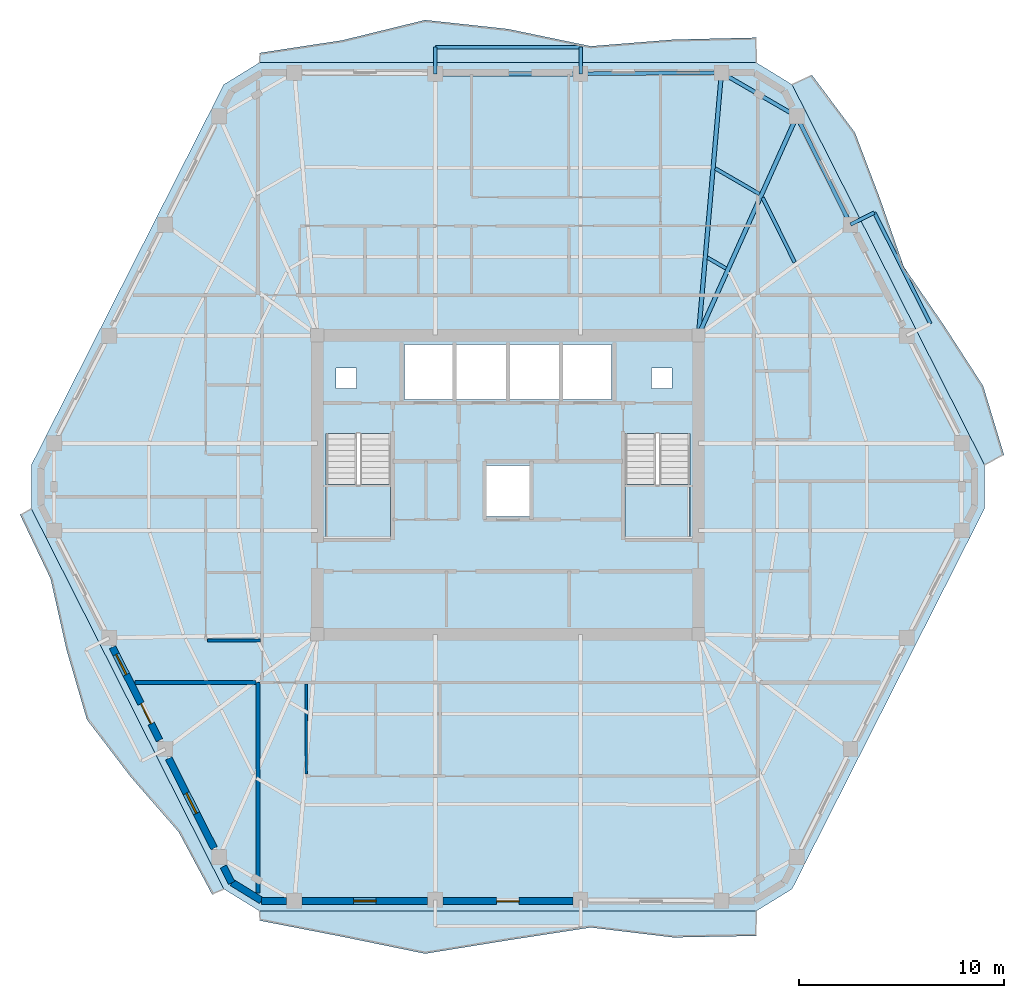
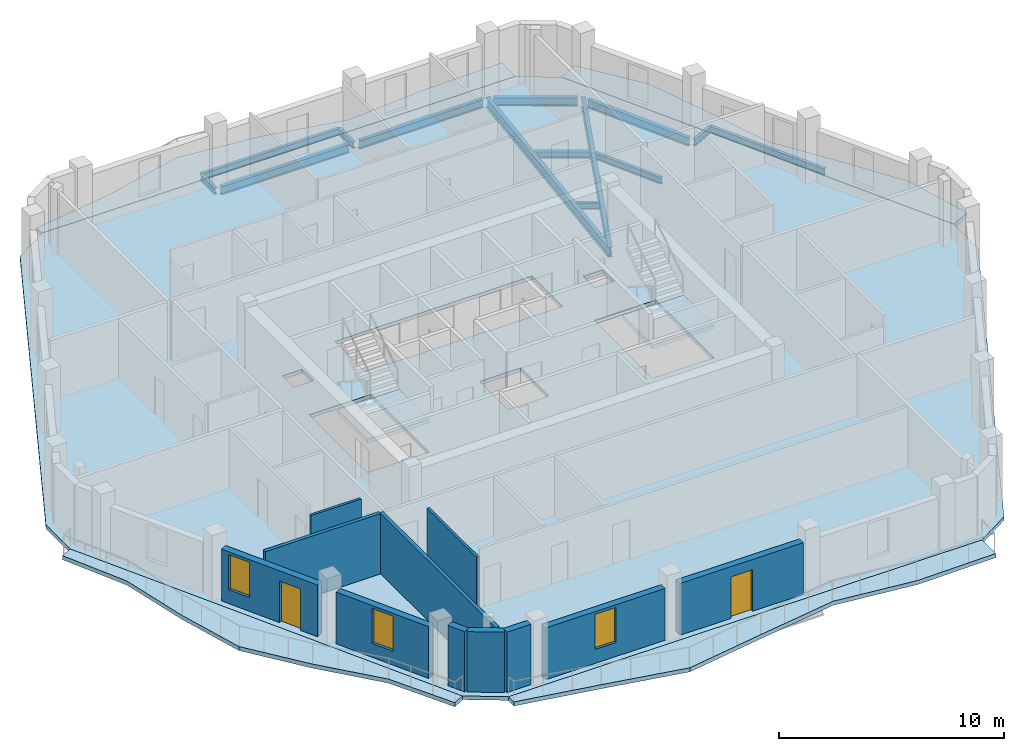
# One storey, part 3 of 10: 14 beams, 11 walls, 7 slabs, 3 windows, 2 doors, 5 openings, 2 elements without a shape of their own.
"""IFC4 building model written with IfcOpenShell, lengths in metres."""

import ifcopenshell
import ifcopenshell.guid

model = None  # the IFC model being written
_history = None  # IfcOwnerHistory: only IFC2X3 demands one
_inside = {}  # id of a spatial element -> (the spatial element, [elements in it])
_under = {}  # id of a project, library or spatial element -> (it, [spatial elements below it])
_declared = {}  # id of a project -> (the project, [libraries it declares])
_typed = {}  # id of a type object -> (the type object, [elements of that type])
_made_of = {}  # id of a material, layer set ... -> (it, [elements and type objects made of it])


def new_model(schema):
    """Start an empty IFC model of exactly this schema.

    Asked for "IFC4X3", IfcOpenShell would pick the latest addendum, in which some entities
    have other attributes; the version numbers below select the first issue.
    IFC2X3 requires an IfcOwnerHistory on every rooted entity: one is made here for all.
    """
    global model, _history
    if schema == "IFC4X3":
        model = ifcopenshell.file(schema_version=(4, 3, 0, 0))
    else:
        model = ifcopenshell.file(schema=schema)
    _inside.clear()
    _under.clear()
    _declared.clear()
    _typed.clear()
    _made_of.clear()
    _history = None
    if model.schema == "IFC2X3":
        org = make("IfcOrganization", Name="unknown")
        user = make(
            "IfcPersonAndOrganization",
            ThePerson=make("IfcPerson", FamilyName="unknown"),
            TheOrganization=org,
        )
        app = make(
            "IfcApplication",
            ApplicationDeveloper=org,
            Version="unknown",
            ApplicationFullName="unknown",
            ApplicationIdentifier="unknown",
        )
        _history = make(
            "IfcOwnerHistory",
            OwningUser=user,
            OwningApplication=app,
            ChangeAction="ADDED",
            CreationDate=0,
        )
    return model


def make(cls, **values):
    """One entity of the class cls with the attributes given. An attribute that is None is left unset."""
    return model.create_entity(
        cls, **{name: value for name, value in values.items() if value is not None}
    )


def rooted(cls, **values):
    """An entity with a GlobalId (a new one), such as an element, a storey or a relation."""
    return make(cls, GlobalId=ifcopenshell.guid.new(), OwnerHistory=_history, **values)


def si_unit(unit_type, name, prefix=None):
    """IfcSIUnit, for example si_unit("LENGTHUNIT", "METRE", prefix="MILLI")."""
    return make("IfcSIUnit", UnitType=unit_type, Prefix=prefix, Name=name)


def assignment(units):
    """IfcUnitAssignment: the units of a project."""
    return None if units is None else make("IfcUnitAssignment", Units=units)


def point(xyz):
    """IfcCartesianPoint."""
    return None if xyz is None else make("IfcCartesianPoint", Coordinates=xyz)


def direction(xyz):
    """IfcDirection."""
    return None if xyz is None else make("IfcDirection", DirectionRatios=xyz)


def frame(location, z_axis=None, x_axis=None):
    """IfcAxis2Placement3D, a coordinate frame: its origin and axes. An axis left out is left unset."""
    return make(
        "IfcAxis2Placement3D",
        Location=point(location),
        Axis=direction(z_axis),
        RefDirection=direction(x_axis),
    )


def frame_2d(location, x_axis=None):
    """IfcAxis2Placement2D, a coordinate frame in the plane: its origin and x axis."""
    return make(
        "IfcAxis2Placement2D", Location=point(location), RefDirection=direction(x_axis)
    )


def origin():
    """The frame at (0, 0, 0) with its axes left unset."""
    return frame((0.0, 0.0, 0.0))


def origin_2d():
    """The frame at (0, 0) in the plane with its x axis left unset."""
    return frame_2d((0.0, 0.0))


def place(relative_to, where):
    """IfcLocalPlacement: puts the frame where relative to a parent placement (None: the world)."""
    return make(
        "IfcLocalPlacement", PlacementRelTo=relative_to, RelativePlacement=where
    )


def context(
    kind, dimensions, precision=None, world=None, true_north=None, identifier=None
):
    """IfcGeometricRepresentationContext, for example the 3D "Model" context."""
    return make(
        "IfcGeometricRepresentationContext",
        ContextIdentifier=identifier,
        ContextType=kind,
        CoordinateSpaceDimension=dimensions,
        Precision=precision,
        WorldCoordinateSystem=world,
        TrueNorth=true_north,
    )


def subcontext(parent, identifier, kind, view, scale=None):
    """IfcGeometricRepresentationSubContext, for example "Body" below "Model"."""
    return make(
        "IfcGeometricRepresentationSubContext",
        ContextIdentifier=identifier,
        ContextType=kind,
        ParentContext=parent,
        TargetScale=scale,
        TargetView=view,
    )


def project(units=None, contexts=None):
    """IfcProject with its units and contexts."""
    return rooted(
        "IfcProject",
        Name="project",
        RepresentationContexts=contexts,
        UnitsInContext=assignment(units),
    )


def spatial(cls, under=None, at=None, **own):
    """A site, building, storey or space (cls), placed at a placement, below another one or the project."""
    s = rooted(cls, ObjectPlacement=at, **own)
    if under is not None:
        _under.setdefault(under.id(), (under, []))[1].append(s)
    return s


def polyline(points):
    """IfcPolyline through the points."""
    return make("IfcPolyline", Points=[point(p) for p in points])


def profile(cls, at=None, kind="AREA", **sizes):
    """A parametric profile (cls). Its sizes go by their IFC names, for example OverallWidth=200.0."""
    return make(cls, ProfileType=kind, Position=at, **sizes)


def rectangle(**sizes):
    """IfcRectangleProfileDef."""
    return profile("IfcRectangleProfileDef", **sizes)


def i_section(**sizes):
    """IfcIShapeProfileDef."""
    return profile("IfcIShapeProfileDef", **sizes)


def outline(outer, holes=None, kind="AREA"):
    """IfcArbitraryClosedProfileDef: a profile drawn as a closed curve; with holes, ...WithVoids."""
    if holes is None:
        return make("IfcArbitraryClosedProfileDef", ProfileType=kind, OuterCurve=outer)
    return make(
        "IfcArbitraryProfileDefWithVoids",
        ProfileType=kind,
        OuterCurve=outer,
        InnerCurves=holes,
    )


def extrude(swept, where, along, depth):
    """IfcExtrudedAreaSolid: the profile swept, set in the frame where, extruded along a direction by depth."""
    return make(
        "IfcExtrudedAreaSolid",
        SweptArea=swept,
        Position=where,
        ExtrudedDirection=direction(along),
        Depth=depth,
    )


def shape(context_of_items, identifier, shape_type, items):
    """IfcShapeRepresentation: the items that make up one representation, for example the "Body"."""
    return make(
        "IfcShapeRepresentation",
        ContextOfItems=context_of_items,
        RepresentationIdentifier=identifier,
        RepresentationType=shape_type,
        Items=items,
    )


def material(Name=None, Category=None):
    """IfcMaterial."""
    return make("IfcMaterial", Name=Name, Category=Category)


def layer(
    of_material, thickness, ventilated=None, Name=None, Category=None, Priority=None
):
    """IfcMaterialLayer: one layer of a wall or slab, of a material (None: an air gap)."""
    return make(
        "IfcMaterialLayer",
        Material=of_material,
        LayerThickness=thickness,
        IsVentilated=ventilated,
        Name=Name,
        Category=Category,
        Priority=Priority,
    )


def layer_set(layers, Name=None):
    """IfcMaterialLayerSet."""
    return make("IfcMaterialLayerSet", MaterialLayers=layers, LayerSetName=Name)


def material_profile(
    of_material, cross_section, Name=None, Category=None, Priority=None
):
    """IfcMaterialProfile: a cross section and its material."""
    return make(
        "IfcMaterialProfile",
        Name=Name,
        Material=of_material,
        Profile=cross_section,
        Priority=Priority,
        Category=Category,
    )


def profile_set(profiles, Name=None, composite=None):
    """IfcMaterialProfileSet."""
    return make(
        "IfcMaterialProfileSet",
        Name=Name,
        MaterialProfiles=profiles,
        CompositeProfile=composite,
    )


def made_of(thing, what):
    """Note that an element or type object is made of a material, layer set ...; save() writes the relation."""
    if what is not None:
        _made_of.setdefault(what.id(), (what, []))[1].append(thing)
    return thing


def type_object(cls, material=None, **own):
    """A type object (cls), such as IfcWallType, which elements share."""
    return made_of(rooted(cls, **own), material)


def element(
    cls,
    number,
    at=None,
    inside=None,
    cuts=None,
    type_object=None,
    material=None,
    context=None,
    identifier="Body",
    shape_type=None,
    held_by="IfcProductDefinitionShape",
    body=None,
    shapes=None,
    **own,
):
    """One element of the class cls, such as IfcWall. Its Tag is "e" and its number.

    at: its placement. inside: the storey or other place that contains it. cuts: it is an
    opening in that element (IfcRelVoidsElement). A single representation is given by context,
    identifier, shape_type and body (its items); several are given by shapes. held_by: the class
    of the entity that holds the representations. save() writes the other relations.
    """
    e = rooted(cls, Tag="e%d" % number, ObjectPlacement=at, **own)
    if body is not None:
        shapes = [shape(context, identifier, shape_type, body)]
    if shapes is not None:
        e.Representation = make(held_by, Representations=shapes)
    if inside is not None:
        _inside.setdefault(inside.id(), (inside, []))[1].append(e)
    if cuts is not None:
        rooted(
            "IfcRelVoidsElement", RelatingBuildingElement=cuts, RelatedOpeningElement=e
        )
    if type_object is not None:
        _typed.setdefault(type_object.id(), (type_object, []))[1].append(e)
    return made_of(e, material)


def fill(opening, filler):
    """IfcRelFillsElement: the door or window that sits in an opening."""
    return rooted(
        "IfcRelFillsElement",
        RelatingOpeningElement=opening,
        RelatedBuildingElement=filler,
    )


def aggregate(whole, parts):
    """IfcRelAggregates: a whole, such as a stair, and the parts it consists of."""
    return rooted("IfcRelAggregates", RelatingObject=whole, RelatedObjects=parts)


def save(model, path):
    """Write the relations noted so far, then the file.

    IfcRelAggregates (storeys below a building ...), IfcRelContainedInSpatialStructure (elements
    in a storey), IfcRelDefinesByType, IfcRelAssociatesMaterial and IfcRelDeclares: one each for
    every whole, place, type object, material and project.
    """
    for whole, parts in _under.values():
        aggregate(whole, parts)
    for where, things in _inside.values():
        rooted(
            "IfcRelContainedInSpatialStructure",
            RelatedElements=things,
            RelatingStructure=where,
        )
    for kind, things in _typed.values():
        rooted("IfcRelDefinesByType", RelatedObjects=things, RelatingType=kind)
    for what, things in _made_of.values():
        rooted("IfcRelAssociatesMaterial", RelatedObjects=things, RelatingMaterial=what)
    for by, libraries in _declared.values():
        rooted("IfcRelDeclares", RelatingContext=by, RelatedDefinitions=libraries)
    model.write(path)


model = new_model("IFC4")

# Units and contexts
model_context = context("Model", 3, precision=1e-05, world=origin(), true_north=direction((0.0, 1.0)))
body_context = subcontext(model_context, "Body", "Model", "MODEL_VIEW")
ifc_project = project(units=[si_unit("LENGTHUNIT", "METRE"), si_unit("AREAUNIT", "SQUARE_METRE"), si_unit("VOLUMEUNIT", "CUBIC_METRE"), si_unit("PLANEANGLEUNIT", "RADIAN"), si_unit("MASSUNIT", "GRAM", prefix="KILO")], contexts=[model_context])

# Site, building, storey
site_placement = place(None, origin())
site = spatial("IfcSite", under=ifc_project, at=site_placement, CompositionType="ELEMENT")
building_placement = place(site_placement, origin())
building = spatial("IfcBuilding", under=site, at=building_placement, Name="Cinnabar Lancet Tower", CompositionType="ELEMENT")
storey_placement = place(building_placement, frame((0.0, 0.0, 218.050048828125)))
storey = spatial("IfcBuildingStorey", under=building, at=storey_placement, Name="L58", CompositionType="ELEMENT", Elevation=218.050048828125)

# Beams
ifc_material_1 = material(Name="Structural steel S355", Category="steel")
ifc_material_profile_1 = material_profile(ifc_material_1, i_section(OverallWidth=0.17138671875, OverallDepth=0.35498046875, WebThickness=0.00732421875, FlangeThickness=0.011474609375, FilletRadius=0.01025390625, at=origin_2d()), Name="UKB 356x171x51")
ifc_profile_set_1 = profile_set([ifc_material_profile_1], Name="Structural steel S355")
beam_type_1 = type_object("IfcBeamType", Name="STR-BM-JST-356", PredefinedType="JOIST", material=ifc_profile_set_1)
beam_1_placement = place(storey_placement, frame((46.40087890625, 36.75, -0.3779296875), z_axis=(-0.444780091128, 0.895639810714, 0.0), x_axis=(-0.895639810714, -0.444780091128, 0.0)))
element("IfcBeam", 1, at=beam_1_placement, inside=storey, type_object=beam_type_1, Name="L58 Secondary Floor Joist 29", PredefinedType="JOIST", context=body_context, shape_type="SweptSolid", body=[
    extrude(i_section(OverallWidth=0.17138671875, OverallDepth=0.35498046875, WebThickness=0.00732421875, FlangeThickness=0.011474609375, FilletRadius=0.01025390625, at=origin_2d()), origin(), (0.0, 0.0, 1.0), 3.533935546875),
])
beam_2_placement = place(storey_placement, frame((44.677978515625, 40.089111328125, -0.3779296875), z_axis=(-0.865267839663, 0.501309849937, 0.0), x_axis=(-0.501309849937, -0.865267839663, 0.0)))
element("IfcBeam", 2, at=beam_2_placement, inside=storey, type_object=beam_type_1, Name="L58 Secondary Floor Joist 31", PredefinedType="JOIST", context=body_context, shape_type="SweptSolid", body=[
    extrude(i_section(OverallWidth=0.17138671875, OverallDepth=0.35498046875, WebThickness=0.00732421875, FlangeThickness=0.011474609375, FilletRadius=0.01025390625, at=origin_2d()), origin(), (0.0, 0.0, 1.0), 2.497314453125),
])
beam_3_placement = place(storey_placement, frame((43.047119140625, 36.45703125, -0.3779296875), z_axis=(-0.8651881055, 0.501447446998, 0.0), x_axis=(-0.501447446998, -0.8651881055, 0.0)))
element("IfcBeam", 3, at=beam_3_placement, inside=storey, type_object=beam_type_1, Name="L58 Secondary Floor Joist 32", PredefinedType="JOIST", context=body_context, shape_type="SweptSolid", body=[
    extrude(i_section(OverallWidth=0.17138671875, OverallDepth=0.35498046875, WebThickness=0.00732421875, FlangeThickness=0.011474609375, FilletRadius=0.01025390625, at=origin_2d()), origin(), (0.0, 0.0, 1.0), 1.05322265625),
])
ifc_material_2 = material(Name="Structural steel S355", Category="steel")
ifc_material_profile_2 = material_profile(ifc_material_2, i_section(OverallWidth=0.1904296875, OverallDepth=0.45703125, WebThickness=0.009033203125, FlangeThickness=0.014404296875, FilletRadius=0.01025390625, at=origin_2d()), Name="UKB 457x191x74")
ifc_profile_set_2 = profile_set([ifc_material_profile_2], Name="Structural steel S355")
beam_type_2 = type_object("IfcBeamType", Name="STR-BM-SPN-457", PredefinedType="SPANDREL", material=ifc_profile_set_2)
beam_4_placement = place(storey_placement, frame((49.008056640625, 38.822998046875, -0.428955078125), z_axis=(-0.444932986899, 0.895563865489, 0.0), x_axis=(-0.895563865489, -0.444932986899, 0.0)))
element("IfcBeam", 4, at=beam_4_placement, inside=storey, type_object=beam_type_2, Name="L58 Perimeter Spandrel 11", PredefinedType="SPANDREL", context=body_context, shape_type="SweptSolid", body=[
    extrude(i_section(OverallWidth=0.1904296875, OverallDepth=0.45703125, WebThickness=0.009033203125, FlangeThickness=0.014404296875, FilletRadius=0.01025390625, at=origin_2d()), origin(), (0.0, 0.0, 1.0), 5.398681640625),
])
beam_5_placement = place(storey_placement, frame((46.279052734375, 44.007080078125, -0.428955078125), z_axis=(-0.865195717586, 0.501434313016, 0.0), x_axis=(-0.501434313016, -0.865195717586, 0.0)))
element("IfcBeam", 5, at=beam_5_placement, inside=storey, type_object=beam_type_2, Name="L58 Perimeter Spandrel 12", PredefinedType="SPANDREL", context=body_context, shape_type="SweptSolid", body=[
    extrude(i_section(OverallWidth=0.1904296875, OverallDepth=0.45703125, WebThickness=0.009033203125, FlangeThickness=0.014404296875, FilletRadius=0.01025390625, at=origin_2d()), origin(), (0.0, 0.0, 1.0), 3.7470703125),
])
beam_6_placement = place(storey_placement, frame((42.571044921875, 46.009033203125, -0.428955078125), z_axis=(-0.999970401924, -0.007693846685, 0.0), x_axis=(0.007693846685, -0.999970401924, 0.0)))
element("IfcBeam", 6, at=beam_6_placement, inside=storey, type_object=beam_type_2, Name="L58 Perimeter Spandrel 13", PredefinedType="SPANDREL", context=body_context, shape_type="SweptSolid", body=[
    extrude(i_section(OverallWidth=0.1904296875, OverallDepth=0.45703125, WebThickness=0.009033203125, FlangeThickness=0.014404296875, FilletRadius=0.01025390625, at=origin_2d()), origin(), (0.0, 0.0, 1.0), 6.378173828125),
])
beam_7_placement = place(storey_placement, frame((35.693115234375, 45.9580078125, -0.428955078125), z_axis=(-1.0, 0.0, 0.0), x_axis=(0.0, -1.0, 0.0)))
element("IfcBeam", 7, at=beam_7_placement, inside=storey, type_object=beam_type_2, Name="L58 Perimeter Spandrel 14", PredefinedType="SPANDREL", context=body_context, shape_type="SweptSolid", body=[
    extrude(i_section(OverallWidth=0.1904296875, OverallDepth=0.45703125, WebThickness=0.009033203125, FlangeThickness=0.014404296875, FilletRadius=0.01025390625, at=origin_2d()), origin(), (0.0, 0.0, 1.0), 6.586181640625),
])
ifc_material_3 = material(Name="Structural steel S355", Category="steel")
ifc_material_profile_3 = material_profile(ifc_material_3, i_section(OverallWidth=0.209228515625, OverallDepth=0.533203125, WebThickness=0.010009765625, FlangeThickness=0.015625, FilletRadius=0.0126953125, at=origin_2d()), Name="UKB 533x210x92")
ifc_profile_set_3 = profile_set([ifc_material_profile_3], Name="Structural steel S355")
beam_type_3 = type_object("IfcBeamType", Name="STR-BM-UKB533-92", PredefinedType="BEAM", material=ifc_profile_set_3)
beam_8_placement = place(storey_placement, frame((46.4951171875, 43.882080078125, -0.467041015625), z_axis=(-0.409527011626, -0.912297992297, 0.0), x_axis=(0.912297992297, -0.409527011626, 0.0)))
element("IfcBeam", 8, at=beam_8_placement, inside=storey, type_object=beam_type_3, Name="L58 Primary Floor Girder 12", PredefinedType="BEAM", context=body_context, shape_type="SweptSolid", body=[
    extrude(i_section(OverallWidth=0.209228515625, OverallDepth=0.533203125, WebThickness=0.010009765625, FlangeThickness=0.015625, FilletRadius=0.0126953125, at=origin_2d()), origin(), (0.0, 0.0, 1.0), 11.708984375),
])
beam_9_placement = place(storey_placement, frame((42.821044921875, 46.010986328125, -0.467041015625), z_axis=(-0.087176841412, -0.996192851973, 0.0), x_axis=(0.996192851973, -0.087176841412, 0.0)))
element("IfcBeam", 9, at=beam_9_placement, inside=storey, type_object=beam_type_3, Name="L58 Primary Floor Girder 13", PredefinedType="BEAM", context=body_context, shape_type="SweptSolid", body=[
    extrude(i_section(OverallWidth=0.209228515625, OverallDepth=0.533203125, WebThickness=0.010009765625, FlangeThickness=0.015625, FilletRadius=0.0126953125, at=origin_2d()), origin(), (0.0, 0.0, 1.0), 12.860107421875),
])
ifc_material_4 = material(Name="Structural steel S355", Category="steel")
ifc_material_profile_4 = material_profile(ifc_material_4, i_section(OverallWidth=0.17138671875, OverallDepth=0.35498046875, WebThickness=0.00732421875, FlangeThickness=0.011474609375, FilletRadius=0.01025390625, at=origin_2d()), Name="UKB 356x171x51")
ifc_profile_set_4 = profile_set([ifc_material_profile_4], Name="Structural steel S355")
beam_type_4 = type_object("IfcBeamType", Name="STR-BM-WAV-OUT", PredefinedType="BEAM", material=ifc_profile_set_4)
for number, where, z_axis, x_axis, name in (
    (10, (49.118896484375, 38.59912109375, -0.39697265625), (0.892314203325, 0.451414845285, 0.0), (-0.451414845285, 0.892314203325, 0.0), "L58 Face 3 Balcony Outlooker B"),
    (11, (35.943115234375, 45.9580078125, -0.39697265625), (0.0, 1.0, 0.0), (-1.0, 0.0, 0.0), "L58 Face 4 Balcony Outlooker A"),
    (12, (28.85693359375, 45.9580078125, -0.39697265625), (0.0, 1.0, 0.0), (-1.0, 0.0, 0.0), "L58 Face 4 Balcony Outlooker B"),
):
    element("IfcBeam", number, at=place(storey_placement, frame(where, z_axis=z_axis, x_axis=x_axis)), inside=storey, type_object=beam_type_4, Name=name, PredefinedType="BEAM", context=body_context, shape_type="SweptSolid", body=[
        extrude(i_section(OverallWidth=0.17138671875, OverallDepth=0.35498046875, WebThickness=0.00732421875, FlangeThickness=0.011474609375, FilletRadius=0.01025390625, at=origin_2d()), origin(), (0.0, 0.0, 1.0), 1.300048828125),
    ])
ifc_material_5 = material(Name="Structural steel S355", Category="steel")
ifc_material_profile_5 = material_profile(ifc_material_5, i_section(OverallWidth=0.17138671875, OverallDepth=0.35498046875, WebThickness=0.00732421875, FlangeThickness=0.011474609375, FilletRadius=0.01025390625, at=origin_2d()), Name="UKB 356x171x51")
ifc_profile_set_5 = profile_set([ifc_material_profile_5], Name="Structural steel S355")
beam_type_5 = type_object("IfcBeamType", Name="STR-BM-WAV-TRIM", PredefinedType="SPANDREL", material=ifc_profile_set_5)
beam_10_placement = place(storey_placement, frame((53.01806640625, 33.758056640625, -0.39697265625), z_axis=(-0.450503306898, 0.892774759093, 0.0), x_axis=(-0.892774759093, -0.450503306898, 0.0)))
element("IfcBeam", 13, at=beam_10_placement, inside=storey, type_object=beam_type_5, Name="L58 Face 3 Balcony Edge Trimmer", PredefinedType="SPANDREL", context=body_context, shape_type="SweptSolid", body=[
    extrude(i_section(OverallWidth=0.17138671875, OverallDepth=0.35498046875, WebThickness=0.00732421875, FlangeThickness=0.011474609375, FilletRadius=0.01025390625, at=origin_2d()), origin(), (0.0, 0.0, 1.0), 6.079833984375),
])
beam_11_placement = place(storey_placement, frame((35.943115234375, 47.258056640625, -0.39697265625), z_axis=(-1.0, 0.0, 0.0), x_axis=(0.0, -1.0, 0.0)))
element("IfcBeam", 14, at=beam_11_placement, inside=storey, type_object=beam_type_5, Name="L58 Face 4 Balcony Edge Trimmer", PredefinedType="SPANDREL", context=body_context, shape_type="SweptSolid", body=[
    extrude(i_section(OverallWidth=0.17138671875, OverallDepth=0.35498046875, WebThickness=0.00732421875, FlangeThickness=0.011474609375, FilletRadius=0.01025390625, at=origin_2d()), origin(), (0.0, 0.0, 1.0), 7.086181640625),
])

# Stair, slab
ifc_material_6 = material(Name="Concrete C40/50", Category="concrete")
stair_type = type_object("IfcStairType", Name="ST-CORE", PredefinedType="HALF_TURN_STAIR", material=ifc_material_6)
stair_1_placement = place(storey_placement, origin())
stair_1 = element("IfcStair", 15, at=stair_1_placement, inside=storey, type_object=stair_type, Name="L58 ST-1", PredefinedType="HALF_TURN_STAIR")
ifc_material_7 = material(Name="Concrete C40/50", Category="concrete")
ifc_layer_1 = layer(ifc_material_7, 0.199951171875)
ifc_layer_set_1 = layer_set([ifc_layer_1], Name="Concrete C40/50")
slab_type_1 = type_object("IfcSlabType", Name="LANDING-CORE", PredefinedType="LANDING", material=ifc_layer_set_1)
slab_1_placement = place(storey_placement, frame((0.0, 0.0, 1.574951171875)))
slab_1 = element("IfcSlab", 16, at=slab_1_placement, type_object=slab_type_1, Name="ST-1 landing 1", PredefinedType="LANDING", context=body_context, shape_type="SweptSolid", body=[
    extrude(outline(polyline([(23.52490234375, 25.925048828125), (23.52490234375, 23.25), (26.675048828125, 23.25), (26.675048828125, 25.925048828125), (23.52490234375, 25.925048828125)])), origin(), (0.0, 0.0, 1.0), 0.199951171875),
])
aggregate(stair_1, [slab_1])

stair_2_placement = place(storey_placement, origin())
stair_2 = element("IfcStair", 17, at=stair_2_placement, inside=storey, type_object=stair_type, Name="L58 ST-2", PredefinedType="HALF_TURN_STAIR")
slab_2_placement = place(storey_placement, frame((0.0, 0.0, 1.574951171875)))
slab_2 = element("IfcSlab", 18, at=slab_2_placement, type_object=slab_type_1, Name="ST-2 landing 1", PredefinedType="LANDING", context=body_context, shape_type="SweptSolid", body=[
    extrude(outline(polyline([(38.125, 25.925048828125), (38.125, 23.25), (41.27490234375, 23.25), (41.27490234375, 25.925048828125), (38.125, 25.925048828125)])), origin(), (0.0, 0.0, 1.0), 0.199951171875),
])
aggregate(stair_2, [slab_2])

# Slabs
ifc_material_8 = material(Name="Concrete C40/50", Category="concrete")
ifc_layer_2 = layer(ifc_material_8, 0.199951171875)
ifc_layer_set_2 = layer_set([ifc_layer_2], Name="Concrete C40/50")
slab_type_2 = type_object("IfcSlabType", Name="STR-SLB-FLR-200", PredefinedType="FLOOR", material=ifc_layer_set_2)
slab_3_placement = place(storey_placement, frame((0.0, 0.0, -0.199951171875)))
element("IfcSlab", 19, at=slab_3_placement, inside=storey, type_object=slab_type_2, Name="L58 Structural Floor Slab", PredefinedType="FLOOR", context=body_context, shape_type="SweptSolid", body=[
    extrude(outline(polyline([(18.530029296875, 6.1708984375), (20.27197265625, 5.10009765625), (44.528076171875, 5.10009765625), (46.27001953125, 6.1708984375), (55.657958984375, 24.72900390625), (55.657958984375, 26.87109375), (46.27001953125, 45.428955078125), (44.528076171875, 46.5), (20.27197265625, 46.5), (18.530029296875, 45.428955078125), (9.14208984375, 26.87109375), (9.14208984375, 24.72900390625), (18.530029296875, 6.1708984375)]), holes=[polyline([(23.52490234375, 23.25), (26.675048828125, 23.25), (26.675048828125, 28.3994140625), (23.52490234375, 28.3994140625), (23.52490234375, 23.25)]), polyline([(38.125, 23.25), (41.27490234375, 23.25), (41.27490234375, 28.3994140625), (38.125, 28.3994140625), (38.125, 23.25)]), polyline([(27.35009765625, 30.050048828125), (37.449951171875, 30.050048828125), (37.449951171875, 32.75), (27.35009765625, 32.75), (27.35009765625, 30.050048828125)]), polyline([(31.35009765625, 24.35009765625), (33.449951171875, 24.35009765625), (33.449951171875, 26.85009765625), (31.35009765625, 26.85009765625), (31.35009765625, 24.35009765625)]), polyline([(24.0, 30.60009765625), (25.0, 30.60009765625), (25.0, 31.60009765625), (24.0, 31.60009765625), (24.0, 30.60009765625)]), polyline([(39.39990234375, 30.60009765625), (40.39990234375, 30.60009765625), (40.39990234375, 31.60009765625), (39.39990234375, 31.60009765625), (39.39990234375, 30.60009765625)])]), origin(), (0.0, 0.0, 1.0), 0.199951171875),
])
ifc_material_9 = material(Name="Concrete C45/55", Category="concrete")
ifc_layer_3 = layer(ifc_material_9, 0.219970703125)
ifc_layer_set_3 = layer_set([ifc_layer_3], Name="Concrete C45/55")
slab_type_3 = type_object("IfcSlabType", Name="STR-SLB-WAV-220", PredefinedType="FLOOR", material=ifc_layer_set_3)
slab_4_placement = place(storey_placement, frame((0.0, 0.0, -0.219970703125)))
element("IfcSlab", 20, at=slab_4_placement, inside=storey, type_object=slab_type_3, Name="L58 Face 1 Undulating Wave Balcony Slab", PredefinedType="FLOOR", context=body_context, shape_type="SweptSolid", body=[
    extrude(outline(polyline([(20.27197265625, 5.10009765625), (20.27197265625, 4.6298828125), (24.31494140625, 3.843017578125), (28.35693359375, 3.012939453125), (32.39990234375, 3.66796875), (36.443115234375, 4.2919921875), (40.485107421875, 3.806884765625), (44.528076171875, 3.883056640625), (44.528076171875, 5.10009765625), (20.27197265625, 5.10009765625)])), origin(), (0.0, 0.0, 1.0), 0.219970703125),
])
slab_5_placement = place(storey_placement, frame((0.0, 0.0, -0.219970703125)))
element("IfcSlab", 21, at=slab_5_placement, inside=storey, type_object=slab_type_3, Name="L58 Face 3 Undulating Wave Balcony Slab", PredefinedType="FLOOR", context=body_context, shape_type="SweptSolid", body=[
    extrude(outline(polyline([(55.657958984375, 26.87109375), (56.612060546875, 27.35400390625), (55.593017578125, 30.721923828125), (53.698974609375, 33.64892578125), (51.721923828125, 36.533935546875), (50.569091796875, 39.8349609375), (49.333984375, 43.093994140625), (47.22412109375, 45.912109375), (46.27001953125, 45.428955078125), (55.657958984375, 26.87109375)])), origin(), (0.0, 0.0, 1.0), 0.219970703125),
])
slab_6_placement = place(storey_placement, frame((0.0, 0.0, -0.219970703125)))
element("IfcSlab", 22, at=slab_6_placement, inside=storey, type_object=slab_type_3, Name="L58 Face 4 Undulating Wave Balcony Slab", PredefinedType="FLOOR", context=body_context, shape_type="SweptSolid", body=[
    extrude(outline(polyline([(44.528076171875, 46.5), (44.528076171875, 47.722900390625), (40.485107421875, 47.6279296875), (36.443115234375, 47.304931640625), (32.39990234375, 48.14501953125), (28.35693359375, 48.583984375), (24.31494140625, 47.593017578125), (20.27197265625, 46.97509765625), (20.27197265625, 46.5), (44.528076171875, 46.5)])), origin(), (0.0, 0.0, 1.0), 0.219970703125),
])
slab_7_placement = place(storey_placement, frame((0.0, 0.0, -0.219970703125)))
element("IfcSlab", 23, at=slab_7_placement, inside=storey, type_object=slab_type_3, Name="L58 Face 6 Undulating Wave Balcony Slab", PredefinedType="FLOOR", context=body_context, shape_type="SweptSolid", body=[
    extrude(outline(polyline([(9.14208984375, 24.72900390625), (8.5859375, 24.447021484375), (10.077880859375, 21.318115234375), (10.861083984375, 17.830078125), (11.847900390625, 14.445068359375), (13.989990234375, 11.64306640625), (16.3359375, 8.946044921875), (17.97412109375, 5.889892578125), (18.530029296875, 6.1708984375), (9.14208984375, 24.72900390625)])), origin(), (0.0, 0.0, 1.0), 0.219970703125),
])

# Walls
ifc_material_10 = material(Name="Fire-rated twin-frame acoustic drywall", Category="gypsum")
ifc_layer_4 = layer(ifc_material_10, 0.179931640625)
ifc_layer_set_4 = layer_set([ifc_layer_4], Name="Fire-rated twin-frame acoustic drywall")
wall_type_1 = type_object("IfcWallType", Name="ARC-WL-PARTY-180", PredefinedType="PARTITIONING", material=ifc_layer_set_4)
wall_1_placement = place(storey_placement, frame((20.199951171875, 5.968017578125, 0.0), z_axis=(0.0, 0.0, 1.0), x_axis=(0.0, 1.0, 0.0)))
element("IfcWall", 24, at=wall_1_placement, inside=storey, type_object=wall_type_1, Name="PW-L58-SPTY-202", PredefinedType="PARTITIONING", context=body_context, shape_type="SweptSolid", body=[
    extrude(rectangle(XDim=10.281982421875, YDim=0.179931640625, at=frame_2d((5.14111328125, 0.0))), origin(), (0.0, 0.0, 1.0), 3.27001953125),
])
wall_2_placement = place(storey_placement, frame((14.2109375, 16.25, 0.0), z_axis=(0.0, 0.0, 1.0), x_axis=(1.0, 0.0, 0.0)))
element("IfcWall", 25, at=wall_2_placement, inside=storey, type_object=wall_type_1, Name="PW-L58-WSB", PredefinedType="PARTITIONING", context=body_context, shape_type="SweptSolid", body=[
    extrude(rectangle(XDim=5.89404296875, YDim=0.179931640625, at=frame_2d((2.947021484375, 0.0))), origin(), (0.0, 0.0, 1.0), 3.27001953125),
])
ifc_material_11 = material(Name="Gypsum plasterboard stud partition", Category="gypsum")
ifc_layer_5 = layer(ifc_material_11, 0.125)
ifc_layer_set_5 = layer_set([ifc_layer_5], Name="Gypsum plasterboard stud partition")
wall_type_2 = type_object("IfcWallType", Name="ARC-WL-UNIT-125", PredefinedType="PARTITIONING", material=ifc_layer_set_5)
wall_3_placement = place(storey_placement, frame((22.550048828125, 11.7900390625, 0.0), z_axis=(0.0, 0.0, 1.0), x_axis=(0.0, 1.0, 0.0)))
element("IfcWall", 26, at=wall_3_placement, inside=storey, type_object=wall_type_2, Name="UW-L58-S01-FOYE", PredefinedType="PARTITIONING", context=body_context, shape_type="SweptSolid", body=[
    extrude(rectangle(XDim=4.375, YDim=0.125, at=frame_2d((2.1875, 0.0))), origin(), (0.0, 0.0, 1.0), 2.72705078125),
])
wall_4_placement = place(storey_placement, frame((17.735107421875, 18.300048828125, 0.0), z_axis=(0.0, 0.0, 1.0), x_axis=(1.0, 0.0, 0.0)))
element("IfcWall", 27, at=wall_4_placement, inside=storey, type_object=wall_type_2, Name="UW-L58-W01-FOYN", PredefinedType="PARTITIONING", context=body_context, shape_type="SweptSolid", body=[
    extrude(rectangle(XDim=2.579833984375, YDim=0.125, at=frame_2d((1.2900390625, 0.0))), origin(), (0.0, 0.0, 1.0), 2.72705078125),
])
ifc_material_12 = material(Name="Cinnabar red clay brick", Category="masonry")
ifc_layer_6 = layer(ifc_material_12, 0.340087890625)
ifc_layer_set_6 = layer_set([ifc_layer_6], Name="Cinnabar red clay brick")
wall_type_3 = type_object("IfcWallType", Name="ENV-WL-BRK-RED-340", PredefinedType="STANDARD", material=ifc_layer_set_6)
wall_5_placement = place(storey_placement, frame((18.93798828125, 6.48388671875, 0.0), z_axis=(0.0, 0.0, 1.0), x_axis=(0.851778214877, -0.523902541185, 0.0)))
element("IfcWall", 28, at=wall_5_placement, inside=storey, type_object=wall_type_3, Name="L58 Chamfered Corner Brick Pier 1.1", PredefinedType="STANDARD", context=body_context, shape_type="SweptSolid", body=[
    extrude(rectangle(XDim=1.677734375, YDim=0.340087890625, at=frame_2d((0.8388671875, 0.0))), origin(), (0.0, 0.0, 1.0), 3.27001953125),
])
wall_6_placement = place(storey_placement, frame((20.362060546875, 5.580078125, 0.0), z_axis=(0.0, 0.0, 1.0), x_axis=(1.0, 0.0, 0.0)))
element("IfcWall", 29, at=wall_6_placement, inside=storey, type_object=wall_type_3, Name="L58 Face 1 Masonry Bay Wall 1", PredefinedType="STANDARD", context=body_context, shape_type="SweptSolid", body=[
    extrude(rectangle(XDim=1.238037109375, YDim=0.340087890625, at=frame_2d((0.619140625, 0.0))), origin(), (0.0, 0.0, 1.0), 3.27001953125),
])

# Wall, opening, window
wall_7_placement = place(storey_placement, frame((22.35791015625, 5.580078125, 0.0), z_axis=(0.0, 0.0, 1.0), x_axis=(1.0, 0.0, 0.0)))
wall_7 = element("IfcWall", 30, at=wall_7_placement, inside=storey, type_object=wall_type_3, Name="L58 Face 1 Masonry Bay Wall 2", PredefinedType="STANDARD", context=body_context, shape_type="SweptSolid", body=[
    extrude(rectangle(XDim=6.1201171875, YDim=0.340087890625, at=frame_2d((3.06005859375, 0.0))), origin(), (0.0, 0.0, 1.0), 2.802978515625),
])
opening_1_placement = place(wall_7_placement, frame((2.510009765625, 0.0, 0.75)))
opening_1 = element("IfcOpeningElement", 31, at=opening_1_placement, cuts=wall_7, Name="Opening WN-04", PredefinedType="OPENING", context=body_context, shape_type="SweptSolid", body=[
    extrude(rectangle(XDim=1.10009765625, YDim=1.903076171875, at=frame_2d((0.550048828125, 0.95166015625))), frame((0.0, 0.179931640625, 0.0), z_axis=(0.0, -1.0, 0.0), x_axis=(1.0, 0.0, 0.0)), (0.0, 0.0, 1.0), 0.360107421875),
])
ifc_material_13 = material(Name="Thermally broken bronze-anodized aluminium tall lancet window", Category="aluminium")
window_type = type_object("IfcWindowType", Name="ENV-WN-LANCET-1100", PartitioningType="SINGLE_PANEL", PredefinedType="WINDOW", material=ifc_material_13)
window_1_placement = place(opening_1_placement, origin())
window_1 = element("IfcWindow", 32, at=window_1_placement, inside=storey, type_object=window_type, Name="L58 Face 1 Gothic Lancet Window 2", OverallHeight=1.903076171875, OverallWidth=1.10009765625, PartitioningType="SINGLE_PANEL", PredefinedType="WINDOW", context=body_context, shape_type="SweptSolid", body=[
    extrude(rectangle(XDim=1.10009765625, YDim=1.903076171875, at=frame_2d((0.550048828125, 0.95166015625))), frame((0.0, 0.030029296875, 0.0), z_axis=(0.0, -1.0, 0.0), x_axis=(1.0, 0.0, 0.0)), (0.0, 0.0, 1.0), 0.06005859375),
])
fill(opening_1, window_1)

# Wall, opening, door
wall_8_placement = place(storey_placement, frame((29.236083984375, 5.580078125, 0.0), z_axis=(0.0, 0.0, 1.0), x_axis=(1.0, 0.0, 0.0)))
wall_8 = element("IfcWall", 33, at=wall_8_placement, inside=storey, type_object=wall_type_3, Name="L58 Face 1 Masonry Bay Wall 3", PredefinedType="STANDARD", context=body_context, shape_type="SweptSolid", body=[
    extrude(rectangle(XDim=6.327880859375, YDim=0.340087890625, at=frame_2d((3.1640625, 0.0))), origin(), (0.0, 0.0, 1.0), 2.802978515625),
])
opening_2_placement = place(wall_8_placement, frame((2.614013671875, 0.0, 0.0)))
opening_2 = element("IfcOpeningElement", 34, at=opening_2_placement, cuts=wall_8, Name="Opening TD-01", PredefinedType="OPENING", context=body_context, shape_type="SweptSolid", body=[
    extrude(rectangle(XDim=1.10009765625, YDim=2.25, at=frame_2d((0.550048828125, 1.125))), frame((0.0, 0.179931640625, 0.0), z_axis=(0.0, -1.0, 0.0), x_axis=(1.0, 0.0, 0.0)), (0.0, 0.0, 1.0), 0.360107421875),
])
ifc_material_14 = material(Name="Thermally broken low-E glazed balcony terrace door", Category="wood")
door_type = type_object("IfcDoorType", Name="ARC-DR-BALC", OperationType="NOTDEFINED", PredefinedType="DOOR", material=ifc_material_14)
door_1_placement = place(opening_2_placement, origin())
door_1 = element("IfcDoor", 35, at=door_1_placement, inside=storey, type_object=door_type, Name="L58 Face 1 Glazed Terrace Door", OperationType="SINGLE_SWING_RIGHT", OverallHeight=2.25, OverallWidth=1.10009765625, PredefinedType="DOOR", context=body_context, shape_type="SweptSolid", body=[
    extrude(rectangle(XDim=1.10009765625, YDim=2.25, at=frame_2d((0.550048828125, 1.125))), frame((0.0, 0.02490234375, 0.0), z_axis=(0.0, -1.0, 0.0), x_axis=(1.0, 0.0, 0.0)), (0.0, 0.0, 1.0), 0.050048828125),
])
fill(opening_2, door_1)

# Wall, openings, door, window
wall_9_placement = place(storey_placement, frame((13.096923828125, 17.972900390625, 0.0), z_axis=(0.0, 0.0, 1.0), x_axis=(0.451463920536, -0.892289374841, 0.0)))
wall_9 = element("IfcWall", 36, at=wall_9_placement, inside=storey, type_object=wall_type_3, Name="L58 Face 6 Masonry Bay Wall 3", PredefinedType="STANDARD", context=body_context, shape_type="SweptSolid", body=[
    extrude(rectangle(XDim=5.0947265625, YDim=0.340087890625, at=frame_2d((2.54736328125, 0.0))), origin(), (0.0, 0.0, 1.0), 2.802978515625),
])
opening_3_placement = place(wall_9_placement, frame((3.087890625, 0.0, 0.0)))
opening_3 = element("IfcOpeningElement", 37, at=opening_3_placement, cuts=wall_9, Name="Opening TD-01", PredefinedType="OPENING", context=body_context, shape_type="SweptSolid", body=[
    extrude(rectangle(XDim=1.10009765625, YDim=2.25, at=frame_2d((0.550048828125, 1.125))), frame((0.0, 0.179931640625, 0.0), z_axis=(0.0, -1.0, 0.0), x_axis=(1.0, 0.0, 0.0)), (0.0, 0.0, 1.0), 0.360107421875),
])
opening_4_placement = place(wall_9_placement, frame((0.39501953125, 0.0, 0.75)))
opening_4 = element("IfcOpeningElement", 38, at=opening_4_placement, cuts=wall_9, Name="Opening WN-04", PredefinedType="OPENING", context=body_context, shape_type="SweptSolid", body=[
    extrude(rectangle(XDim=1.10009765625, YDim=1.903076171875, at=frame_2d((0.550048828125, 0.95166015625))), frame((0.0, 0.179931640625, 0.0), z_axis=(0.0, -1.0, 0.0), x_axis=(1.0, 0.0, 0.0)), (0.0, 0.0, 1.0), 0.360107421875),
])
door_2_placement = place(opening_3_placement, origin())
door_2 = element("IfcDoor", 39, at=door_2_placement, inside=storey, type_object=door_type, Name="L58 Face 6 Glazed Terrace Door", OperationType="SINGLE_SWING_LEFT", OverallHeight=2.25, OverallWidth=1.10009765625, PredefinedType="DOOR", context=body_context, shape_type="SweptSolid", body=[
    extrude(rectangle(XDim=1.10009765625, YDim=2.25, at=frame_2d((0.550048828125, 1.125))), frame((0.0, 0.02490234375, 0.0), z_axis=(0.0, -1.0, 0.0), x_axis=(1.0, 0.0, 0.0)), (0.0, 0.0, 1.0), 0.050048828125),
])
fill(opening_3, door_2)
window_2_placement = place(opening_4_placement, origin())
window_2 = element("IfcWindow", 40, at=window_2_placement, inside=storey, type_object=window_type, Name="L58 Split-Bay Gothic Lancet Window 206", OverallHeight=1.903076171875, OverallWidth=1.10009765625, PartitioningType="SINGLE_PANEL", PredefinedType="WINDOW", context=body_context, shape_type="SweptSolid", body=[
    extrude(rectangle(XDim=1.10009765625, YDim=1.903076171875, at=frame_2d((0.550048828125, 0.95166015625))), frame((0.0, 0.030029296875, 0.0), z_axis=(0.0, -1.0, 0.0), x_axis=(1.0, 0.0, 0.0)), (0.0, 0.0, 1.0), 0.06005859375),
])
fill(opening_4, window_2)

# Wall, opening, window
wall_10_placement = place(storey_placement, frame((15.843017578125, 12.544921875, 0.0), z_axis=(0.0, 0.0, 1.0), x_axis=(0.451544279509, -0.892248711763, 0.0)))
wall_10 = element("IfcWall", 41, at=wall_10_placement, inside=storey, type_object=wall_type_3, Name="L58 Face 6 Masonry Bay Wall 4", PredefinedType="STANDARD", context=body_context, shape_type="SweptSolid", body=[
    extrude(rectangle(XDim=4.909912109375, YDim=0.340087890625, at=frame_2d((2.455078125, 0.0))), origin(), (0.0, 0.0, 1.0), 2.802978515625),
])
opening_5_placement = place(wall_10_placement, frame((1.905029296875, 0.0, 0.75)))
opening_5 = element("IfcOpeningElement", 42, at=opening_5_placement, cuts=wall_10, Name="Opening WN-04", PredefinedType="OPENING", context=body_context, shape_type="SweptSolid", body=[
    extrude(rectangle(XDim=1.10009765625, YDim=1.903076171875, at=frame_2d((0.550048828125, 0.95166015625))), frame((0.0, 0.179931640625, 0.0), z_axis=(0.0, -1.0, 0.0), x_axis=(1.0, 0.0, 0.0)), (0.0, 0.0, 1.0), 0.360107421875),
])
window_3_placement = place(opening_5_placement, origin())
window_3 = element("IfcWindow", 43, at=window_3_placement, inside=storey, type_object=window_type, Name="L58 Face 6 Gothic Lancet Window 4", OverallHeight=1.903076171875, OverallWidth=1.10009765625, PartitioningType="SINGLE_PANEL", PredefinedType="WINDOW", context=body_context, shape_type="SweptSolid", body=[
    extrude(rectangle(XDim=1.10009765625, YDim=1.903076171875, at=frame_2d((0.550048828125, 0.95166015625))), frame((0.0, 0.030029296875, 0.0), z_axis=(0.0, -1.0, 0.0), x_axis=(1.0, 0.0, 0.0)), (0.0, 0.0, 1.0), 0.06005859375),
])
fill(opening_5, window_3)

# Wall
wall_11_placement = place(storey_placement, frame((18.51611328125, 7.261962890625, 0.0), z_axis=(0.0, 0.0, 1.0), x_axis=(0.451597983141, -0.892221531697, 0.0)))
element("IfcWall", 44, at=wall_11_placement, inside=storey, type_object=wall_type_3, Name="L58 Face 6 Masonry Bay Wall 5", PredefinedType="STANDARD", context=body_context, shape_type="SweptSolid", body=[
    extrude(rectangle(XDim=0.889892578125, YDim=0.340087890625, at=frame_2d((0.44482421875, 0.0))), origin(), (0.0, 0.0, 1.0), 3.27001953125),
])

save(model, "model.ifc")
